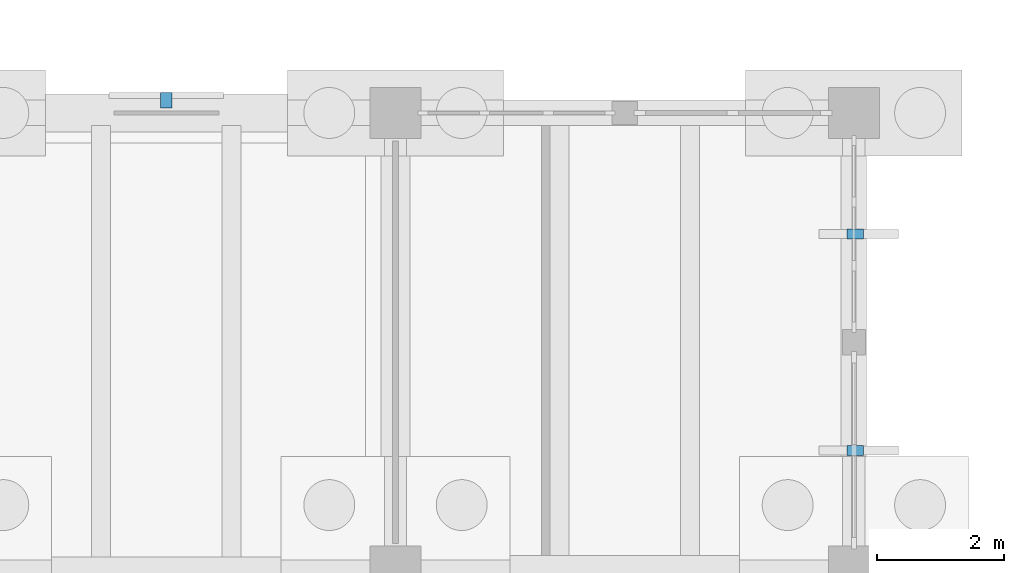
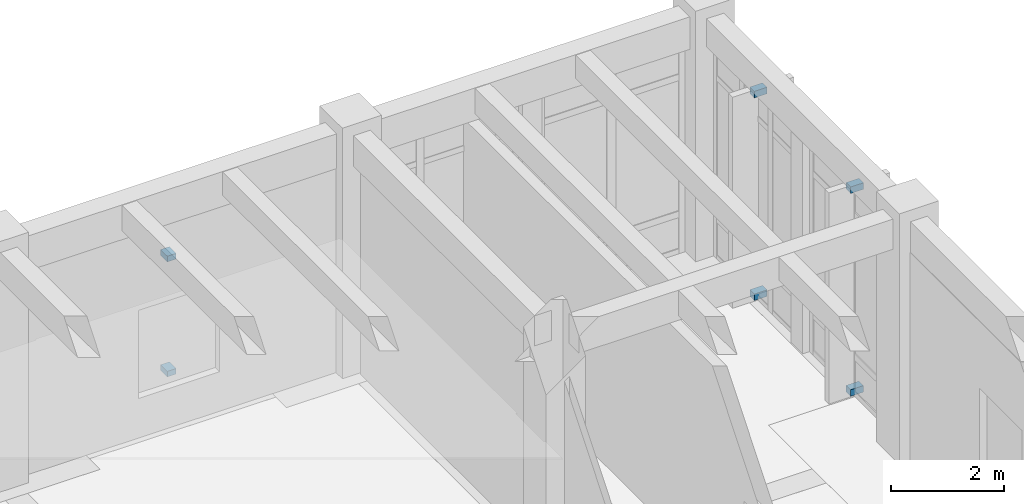
# One storey, part 82 of 93: 6 discrete accessories.
"""IFC4 building model written with IfcOpenShell, lengths in metres."""

from ifc_helpers import new_model, si_unit, direction, frame, origin, origin_2d, place, context, subcontext, project, spatial, rectangle, extrude, material, type_object, element, save


model = new_model("IFC4")

# Units and contexts
model_context = context("Model", 3, precision=1e-05, world=origin(), true_north=direction((0.0, 1.0)))
body_context = subcontext(model_context, "Body", "Model", "MODEL_VIEW")
ifc_project = project(units=[si_unit("LENGTHUNIT", "METRE"), si_unit("AREAUNIT", "SQUARE_METRE"), si_unit("VOLUMEUNIT", "CUBIC_METRE"), si_unit("PLANEANGLEUNIT", "RADIAN"), si_unit("MASSUNIT", "GRAM", prefix="KILO")], contexts=[model_context])

# Site, building, storey
site_placement = place(None, origin())
site = spatial("IfcSite", under=ifc_project, at=site_placement, CompositionType="ELEMENT")
building_placement = place(site_placement, origin())
building = spatial("IfcBuilding", under=site, at=building_placement, Name="Koriwan Promenade Central Fire Station", CompositionType="ELEMENT")
storey_placement = place(building_placement, origin())
storey = spatial("IfcBuildingStorey", under=building, at=storey_placement, Name="L00", CompositionType="ELEMENT", Elevation=0.0)

# Discrete accessories
ifc_material = material(Name="Steel ASTM A572 Grade 50", Category="steel")
discrete_accessory_type_1 = type_object("IfcDiscreteAccessoryType", Name="FacadeBracket_Fin", PredefinedType="BRACKET", material=ifc_material)
for number, where, z_axis, x_axis, name in (
    (1, (172.820068359375, 77.300048828125, 0.02001953125), (0.0, 0.0, 1.0), (1.0, 0.0, 0.0), "Solar fin outrigger bracket 017-BOT"),
    (2, (172.820068359375, 77.300048828125, 4.39013671875), (0.0, 0.0, 1.0), (1.0, 0.0, 0.0), "Solar fin outrigger bracket 017-TOP"),
    (3, (172.820068359375, 73.89990234375, 0.02001953125), (0.0, 0.0, 1.0), (1.0, 0.0, 0.0), "Solar fin outrigger bracket 018-BOT"),
    (4, (172.820068359375, 73.89990234375, 4.39013671875), (0.0, 0.0, 1.0), (1.0, 0.0, 0.0), "Solar fin outrigger bracket 018-TOP"),
):
    element("IfcDiscreteAccessory", number, at=place(storey_placement, frame(where, z_axis=z_axis, x_axis=x_axis)), inside=storey, type_object=discrete_accessory_type_1, Name=name, PredefinedType="BRACKET", context=body_context, shape_type="SweptSolid", body=[
        extrude(rectangle(XDim=0.260009765625, YDim=0.159912109375, at=origin_2d()), origin(), (0.0, 0.0, 1.0), 0.139892578125),
    ])
discrete_accessory_type_2 = type_object("IfcDiscreteAccessoryType", Name="FacadeBracket_Jali", PredefinedType="BRACKET", material=ifc_material)
for number, where, z_axis, x_axis, name in (
    (5, (162.0, 79.39990234375, 0.89990234375), (0.0, 0.0, 1.0), (0.0, 1.0, 0.0), "Jali corbel bracket 013-B"),
    (6, (162.0, 79.39990234375, 3.3798828125), (0.0, 0.0, 1.0), (0.0, 1.0, 0.0), "Jali corbel bracket 013-T"),
):
    element("IfcDiscreteAccessory", number, at=place(storey_placement, frame(where, z_axis=z_axis, x_axis=x_axis)), inside=storey, type_object=discrete_accessory_type_2, Name=name, PredefinedType="BRACKET", context=body_context, shape_type="SweptSolid", body=[
        extrude(rectangle(XDim=0.239990234375, YDim=0.179931640625, at=origin_2d()), origin(), (0.0, 0.0, 1.0), 0.1201171875),
    ])

save(model, "model.ifc")
